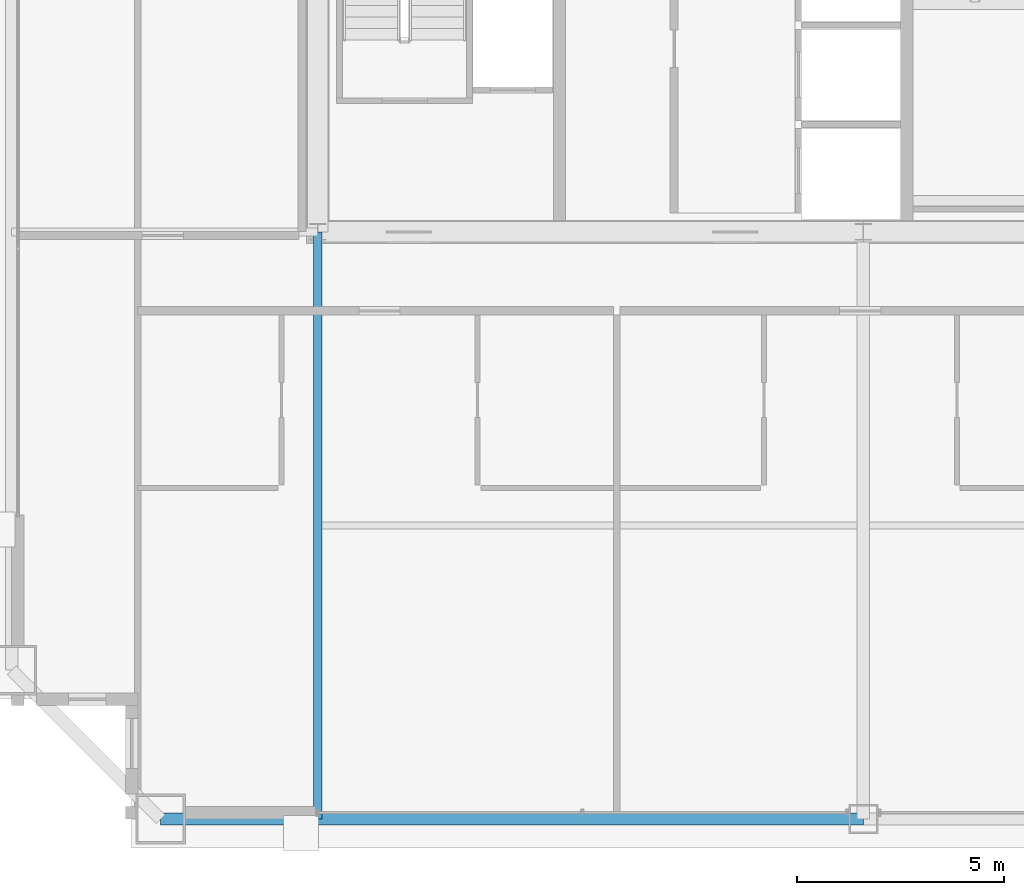
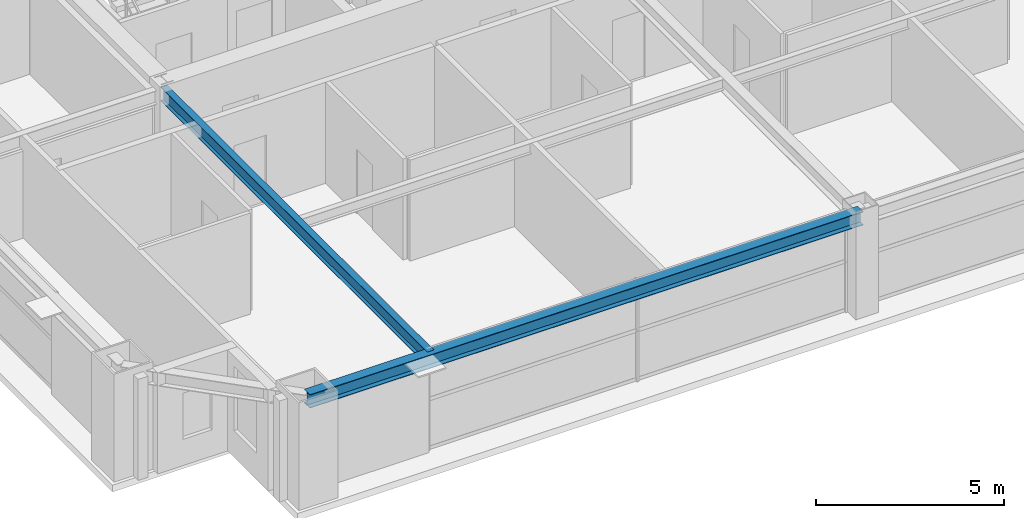
# One storey, part 4 of 36: 2 beams.
"""IFC4 building model written with IfcOpenShell, lengths in metres."""

from ifc_helpers import new_model, si_unit, direction, frame, origin, origin_2d, place, context, subcontext, project, spatial, i_section, extrude, source, transform, mapped, material, material_profile, profile_set, type_object, element, save


model = new_model("IFC4")

# Units and contexts
model_context = context("Model", 3, precision=1e-05, world=origin(), true_north=direction((0.0, 1.0)))
body_context = subcontext(model_context, "Body", "Model", "MODEL_VIEW")
ifc_project = project(units=[si_unit("LENGTHUNIT", "METRE"), si_unit("AREAUNIT", "SQUARE_METRE"), si_unit("VOLUMEUNIT", "CUBIC_METRE"), si_unit("PLANEANGLEUNIT", "RADIAN"), si_unit("MASSUNIT", "GRAM", prefix="KILO"), si_unit("THERMODYNAMICTEMPERATUREUNIT", "KELVIN"), si_unit("POWERUNIT", "WATT")], contexts=[model_context])

# Site, building, storey
site_placement = place(None, origin())
site = spatial("IfcSite", under=ifc_project, at=site_placement, CompositionType="ELEMENT")
building_placement = place(site_placement, origin())
building = spatial("IfcBuilding", under=site, at=building_placement, Name="Yuzanri Waterfront Tower", CompositionType="ELEMENT")
storey_placement = place(building_placement, frame((0.0, 0.0, 238.10009765625)))
storey = spatial("IfcBuildingStorey", under=building, at=storey_placement, Name="L63", CompositionType="ELEMENT", Elevation=238.10009765625)

# Beams
ifc_material_1 = material(Name="Steel Q355B", Category="steel")
ifc_material_profile_1 = material_profile(ifc_material_1, i_section(OverallWidth=0.300048828125, OverallDepth=0.43994140625, WebThickness=0.010986328125, FlangeThickness=0.01806640625, at=origin_2d()), Name="HM 440x300x11x18")
ifc_profile_set_1 = profile_set([ifc_material_profile_1], Name="Steel Q355B")
beam_type_1 = type_object("IfcBeamType", Name="Perimeter Spandrel Q355B HM 440x300", PredefinedType="SPANDREL", material=ifc_profile_set_1)
shared_shape_1 = source(origin(), body_context, "Body", "SweptSolid", [
    extrude(i_section(OverallWidth=0.300048828125, OverallDepth=0.43994140625, WebThickness=0.010986328125, FlangeThickness=0.01806640625, at=origin_2d()), origin(), (0.0, 0.0, 1.0), 17.0),
])
beam_1_placement = place(storey_placement, frame((20.0, 5.199951171875, 3.059814453125), z_axis=(1.0, 0.0, 0.0), x_axis=(0.0, 1.0, 0.0)))
element("IfcBeam", 1, at=beam_1_placement, inside=storey, type_object=beam_type_1, Name="L63 Perimeter Spandrel S1-S2", PredefinedType="SPANDREL", context=body_context, shape_type="MappedRepresentation", body=[
    mapped(shared_shape_1, transform((0.0, 0.0, 0.0), scale=1.0)),
])
ifc_material_2 = material(Name="Steel Q355B", Category="steel")
ifc_material_profile_2 = material_profile(ifc_material_2, i_section(OverallWidth=0.199951171875, OverallDepth=0.449951171875, WebThickness=0.009033203125, FlangeThickness=0.013916015625, at=origin_2d()), Name="HN 450x200x9x14")
ifc_profile_set_2 = profile_set([ifc_material_profile_2], Name="Steel Q355B")
beam_type_2 = type_object("IfcBeamType", Name="Secondary Floor Beam Q355B HN 450x200", PredefinedType="BEAM", material=ifc_profile_set_2)
shared_shape_2 = source(origin(), body_context, "Body", "SweptSolid", [
    extrude(i_section(OverallWidth=0.199951171875, OverallDepth=0.449951171875, WebThickness=0.009033203125, FlangeThickness=0.013916015625, at=origin_2d()), origin(), (0.0, 0.0, 1.0), 14.199951171875),
])
beam_2_placement = place(storey_placement, frame((23.800048828125, 19.39990234375, 3.054931640625), z_axis=(0.0, -1.0, 0.0), x_axis=(1.0, 0.0, 0.0)))
element("IfcBeam", 2, at=beam_2_placement, inside=storey, type_object=beam_type_2, Name="L63 South-West Core Line Beam", PredefinedType="BEAM", context=body_context, shape_type="MappedRepresentation", body=[
    mapped(shared_shape_2, transform((0.0, 0.0, 0.0), scale=1.0)),
])

save(model, "model.ifc")
